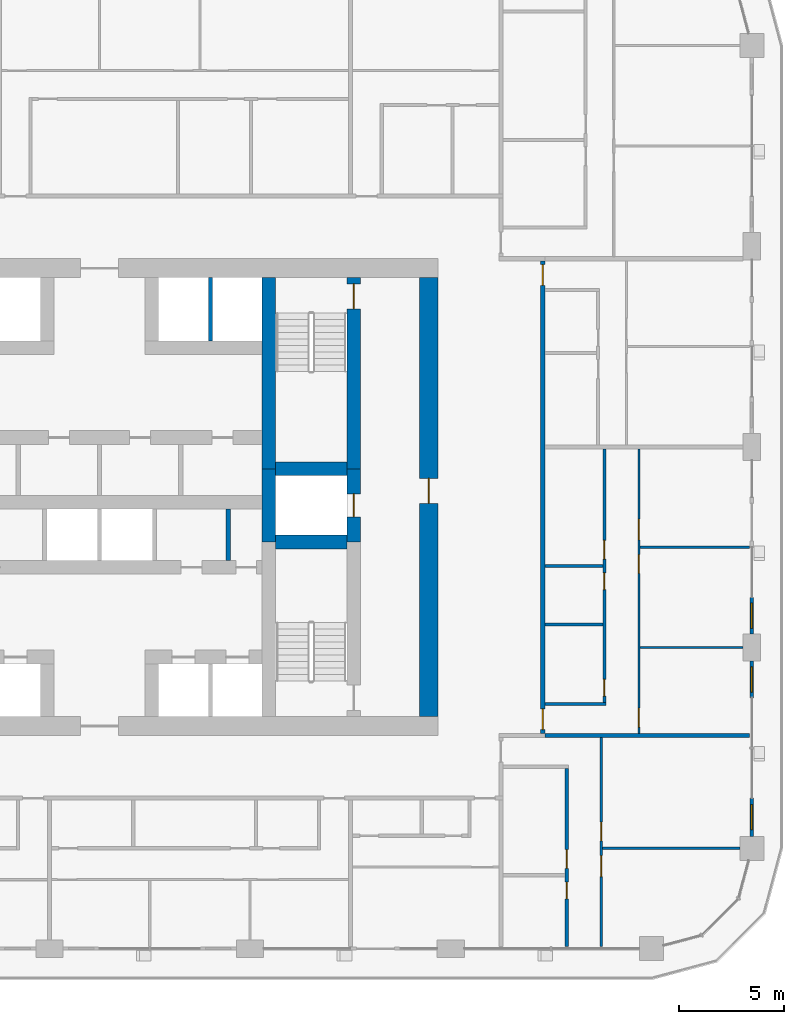
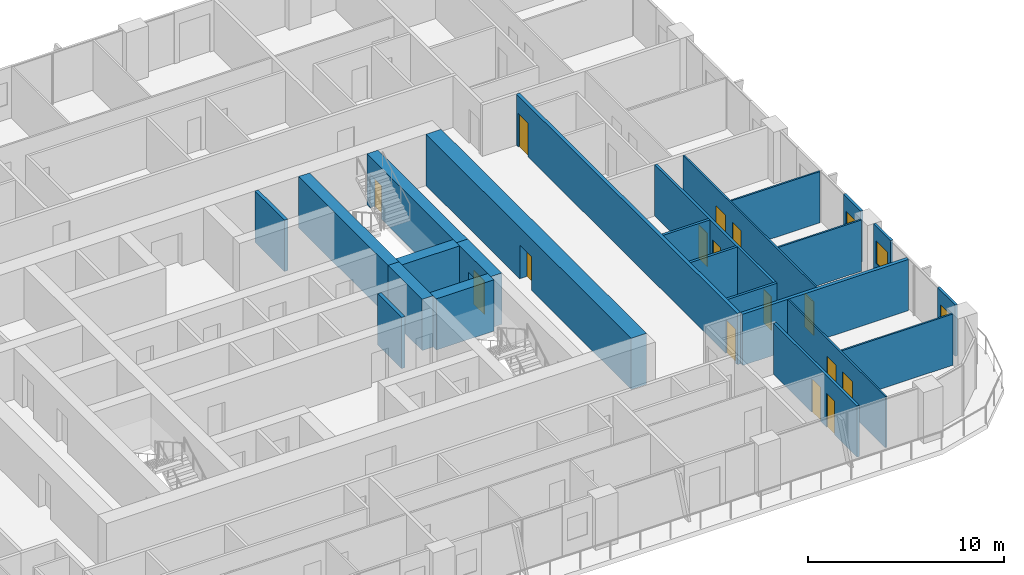
# One storey, part 12 of 21: 24 walls, 15 doors, 3 windows, 18 openings.
"""IFC4 building model written with IfcOpenShell, lengths in metres."""

from ifc_helpers import new_model, si_unit, direction, frame, frame_2d, origin, place, context, subcontext, project, spatial, rectangle, extrude, material, layer, layer_set, type_object, element, fill, save


model = new_model("IFC4")

# Units and contexts
model_context = context("Model", 3, precision=1e-05, world=origin(), true_north=direction((0.0, 1.0)))
body_context = subcontext(model_context, "Body", "Model", "MODEL_VIEW")
ifc_project = project(units=[si_unit("LENGTHUNIT", "METRE"), si_unit("AREAUNIT", "SQUARE_METRE"), si_unit("VOLUMEUNIT", "CUBIC_METRE"), si_unit("PLANEANGLEUNIT", "RADIAN"), si_unit("MASSUNIT", "GRAM", prefix="KILO")], contexts=[model_context])

# Site, building, storey
site_placement = place(None, origin())
site = spatial("IfcSite", under=ifc_project, at=site_placement, CompositionType="ELEMENT")
building_placement = place(site_placement, origin())
building = spatial("IfcBuilding", under=site, at=building_placement, Name="Madar Terraces", CompositionType="ELEMENT")
storey_placement = place(building_placement, frame((0.0, 0.0, 92.699951171875)))
storey = spatial("IfcBuildingStorey", under=building, at=storey_placement, Name="L23", CompositionType="ELEMENT", Elevation=92.699951171875)

# Walls
ifc_material_1 = material(Name="Concrete C80/95", Category="concrete")
ifc_layer_1 = layer(ifc_material_1, 0.64990234375)
ifc_layer_set_1 = layer_set([ifc_layer_1], Name="Concrete C80/95 (CIW2 RC wall 650)")
wall_type_1 = type_object("IfcWallType", Name="CIW2 RC wall 650", PredefinedType="SHEAR", material=ifc_layer_set_1)
wall_1_placement = place(storey_placement, frame((39.300048828125, 24.25, 0.0), z_axis=(0.0, 0.0, 1.0), x_axis=(0.0, 1.0, 0.0)))
element("IfcWall", 1, at=wall_1_placement, inside=storey, type_object=wall_type_1, Name="CORE SHAFT WALL", PredefinedType="SHEAR", context=body_context, shape_type="SweptSolid", body=[
    extrude(rectangle(XDim=3.5, YDim=0.64990234375, at=frame_2d((1.75, 0.0))), origin(), (0.0, 0.0, 1.0), 3.199951171875),
])
wall_2_placement = place(storey_placement, frame((39.300048828125, 27.75, 0.0), z_axis=(0.0, 0.0, 1.0), x_axis=(0.0, 1.0, 0.0)))
element("IfcWall", 2, at=wall_2_placement, inside=storey, type_object=wall_type_1, Name="CORE SHAFT WALL", PredefinedType="SHEAR", context=body_context, shape_type="SweptSolid", body=[
    extrude(rectangle(XDim=9.14990234375, YDim=0.64990234375, at=frame_2d((4.574951171875, 0.0))), origin(), (0.0, 0.0, 1.0), 3.199951171875),
])

# Wall, opening, door
wall_3_placement = place(storey_placement, frame((43.35009765625, 24.25, 0.0), z_axis=(0.0, 0.0, 1.0), x_axis=(0.0, 1.0, 0.0)))
wall_3 = element("IfcWall", 3, at=wall_3_placement, inside=storey, type_object=wall_type_1, Name="CORE SHAFT WALL", PredefinedType="SHEAR", context=body_context, shape_type="SweptSolid", body=[
    extrude(rectangle(XDim=3.5, YDim=0.64990234375, at=frame_2d((1.75, 0.0))), origin(), (0.0, 0.0, 1.0), 3.199951171875),
])
opening_1_placement = place(wall_3_placement, frame((1.199951171875, 0.0, 0.0)))
opening_1 = element("IfcOpeningElement", 4, at=opening_1_placement, cuts=wall_3, Name="Opening LD", PredefinedType="OPENING", context=body_context, shape_type="SweptSolid", body=[
    extrude(rectangle(XDim=1.10009765625, YDim=2.10009765625, at=frame_2d((0.550048828125, 1.050048828125))), frame((0.0, 0.3349609375, 0.0), z_axis=(0.0, -1.0, 0.0), x_axis=(1.0, 0.0, 0.0)), (0.0, 0.0, 1.0), 0.669921875),
])
ifc_material_2 = material(Name="Stainless steel panel", Category="steel")
door_type_1 = type_object("IfcDoorType", Name="Lift landing door 1100 x 2100", OperationType="DOUBLE_DOOR_SLIDING", PredefinedType="DOOR", material=ifc_material_2)
door_1_placement = place(opening_1_placement, origin())
door_1 = element("IfcDoor", 5, at=door_1_placement, inside=storey, type_object=door_type_1, Name="LIFT LANDING DOOR", OperationType="DOUBLE_DOOR_SLIDING", OverallHeight=2.10009765625, OverallWidth=1.10009765625, PredefinedType="DOOR", context=body_context, shape_type="SweptSolid", body=[
    extrude(rectangle(XDim=1.10009765625, YDim=2.10009765625, at=frame_2d((0.550048828125, 1.050048828125))), frame((0.0, 0.02490234375, 0.0), z_axis=(0.0, -1.0, 0.0), x_axis=(1.0, 0.0, 0.0)), (0.0, 0.0, 1.0), 0.050048828125),
])
fill(opening_1, door_1)

wall_4_placement = place(storey_placement, frame((43.35009765625, 27.75, 0.0), z_axis=(0.0, 0.0, 1.0), x_axis=(0.0, 1.0, 0.0)))
wall_4 = element("IfcWall", 6, at=wall_4_placement, inside=storey, type_object=wall_type_1, Name="CORE SHAFT WALL", PredefinedType="SHEAR", context=body_context, shape_type="SweptSolid", body=[
    extrude(rectangle(XDim=9.14990234375, YDim=0.64990234375, at=frame_2d((4.574951171875, 0.0))), origin(), (0.0, 0.0, 1.0), 3.199951171875),
])
opening_2_placement = place(wall_4_placement, frame((7.64990234375, 0.0, 0.0)))
opening_2 = element("IfcOpeningElement", 7, at=opening_2_placement, cuts=wall_4, Name="Opening SD1", PredefinedType="OPENING", context=body_context, shape_type="SweptSolid", body=[
    extrude(rectangle(XDim=1.199951171875, YDim=2.10009765625, at=frame_2d((0.60009765625, 1.050048828125))), frame((0.0, 0.3349609375, 0.0), z_axis=(0.0, -1.0, 0.0), x_axis=(1.0, 0.0, 0.0)), (0.0, 0.0, 1.0), 0.669921875),
])
ifc_material_3 = material(Name="Steel door leaf", Category="steel")
door_type_2 = type_object("IfcDoorType", Name="Stair door 1200 x 2100", OperationType="NOTDEFINED", PredefinedType="DOOR", material=ifc_material_3)
door_2_placement = place(opening_2_placement, origin())
door_2 = element("IfcDoor", 8, at=door_2_placement, inside=storey, type_object=door_type_2, Name="STAIR DOOR", OperationType="SINGLE_SWING_LEFT", OverallHeight=2.10009765625, OverallWidth=1.199951171875, PredefinedType="DOOR", context=body_context, shape_type="SweptSolid", body=[
    extrude(rectangle(XDim=1.199951171875, YDim=2.10009765625, at=frame_2d((0.60009765625, 1.050048828125))), frame((0.0, 0.02490234375, 0.0), z_axis=(0.0, -1.0, 0.0), x_axis=(1.0, 0.0, 0.0)), (0.0, 0.0, 1.0), 0.050048828125),
])
fill(opening_2, door_2)

# Walls
for number, where, z_axis, x_axis, name in (
    (9, (39.625, 24.25, 0.0), (0.0, 0.0, 1.0), (1.0, 0.0, 0.0), "CORE SHAFT WALL"),
    (10, (39.625, 27.75, 0.0), (0.0, 0.0, 1.0), (1.0, 0.0, 0.0), "CORE SHAFT WALL"),
):
    element("IfcWall", number, at=place(storey_placement, frame(where, z_axis=z_axis, x_axis=x_axis)), inside=storey, type_object=wall_type_1, Name=name, PredefinedType="SHEAR", context=body_context, shape_type="SweptSolid", body=[
        extrude(rectangle(XDim=3.39990234375, YDim=0.64990234375, at=frame_2d((1.699951171875, 0.0))), origin(), (0.0, 0.0, 1.0), 3.199951171875),
    ])

# Wall, opening, door
ifc_material_4 = material(Name="Concrete C80/95", Category="concrete")
ifc_layer_2 = layer(ifc_material_4, 0.89990234375)
ifc_layer_set_2 = layer_set([ifc_layer_2], Name="Concrete C80/95 (CRW2 RC wall 900)")
wall_type_2 = type_object("IfcWallType", Name="CRW2 RC wall 900", PredefinedType="SHEAR", material=ifc_layer_set_2)
wall_5_placement = place(storey_placement, frame((46.949951171875, 15.89990234375, 0.0), z_axis=(0.0, 0.0, 1.0), x_axis=(0.0, 1.0, 0.0)))
wall_5 = element("IfcWall", 11, at=wall_5_placement, inside=storey, type_object=wall_type_2, Name="CORE OUTER WALL", PredefinedType="SHEAR", context=body_context, shape_type="SweptSolid", body=[
    extrude(rectangle(XDim=21.0, YDim=0.89990234375, at=frame_2d((10.5, 0.0))), origin(), (0.0, 0.0, 1.0), 3.199951171875),
])
opening_3_placement = place(wall_5_placement, frame((10.199951171875, 0.0, 0.0)))
opening_3 = element("IfcOpeningElement", 12, at=opening_3_placement, cuts=wall_5, Name="Opening SD1", PredefinedType="OPENING", context=body_context, shape_type="SweptSolid", body=[
    extrude(rectangle(XDim=1.199951171875, YDim=2.10009765625, at=frame_2d((0.60009765625, 1.050048828125))), frame((0.0, 0.4599609375, 0.0), z_axis=(0.0, -1.0, 0.0), x_axis=(1.0, 0.0, 0.0)), (0.0, 0.0, 1.0), 0.919921875),
])
door_3_placement = place(opening_3_placement, origin())
door_3 = element("IfcDoor", 13, at=door_3_placement, inside=storey, type_object=door_type_2, Name="STAIR DOOR", OperationType="SINGLE_SWING_LEFT", OverallHeight=2.10009765625, OverallWidth=1.199951171875, PredefinedType="DOOR", context=body_context, shape_type="SweptSolid", body=[
    extrude(rectangle(XDim=1.199951171875, YDim=2.10009765625, at=frame_2d((0.60009765625, 1.050048828125))), frame((0.0, 0.02490234375, 0.0), z_axis=(0.0, -1.0, 0.0), x_axis=(1.0, 0.0, 0.0)), (0.0, 0.0, 1.0), 0.050048828125),
])
fill(opening_3, door_3)

# Walls
ifc_material_5 = material(Name="Masonry blockwork", Category="masonry")
ifc_layer_3 = layer(ifc_material_5, 0.199951171875)
ifc_layer_set_3 = layer_set([ifc_layer_3], Name="Core partition 200 blockwork")
wall_type_3 = type_object("IfcWallType", Name="Core partition 200 blockwork", PredefinedType="PARTITIONING", material=ifc_layer_set_3)
wall_6_placement = place(storey_placement, frame((37.35888671875, 23.375, 0.0), z_axis=(0.0, 0.0, 1.0), x_axis=(0.0, 1.0, 0.0)))
element("IfcWall", 14, at=wall_6_placement, inside=storey, type_object=wall_type_3, Name="SERVICE ROOM PARTITION", PredefinedType="PARTITIONING", context=body_context, shape_type="SweptSolid", body=[
    extrude(rectangle(XDim=2.449951171875, YDim=0.199951171875, at=frame_2d((1.22509765625, 0.0))), origin(), (0.0, 0.0, 1.0), 3.199951171875),
])
ifc_material_6 = material(Name="Concrete C40/50", Category="concrete")
ifc_layer_4 = layer(ifc_material_6, 0.199951171875)
ifc_layer_set_4 = layer_set([ifc_layer_4], Name="Core shaft dividing wall 200 C40/50")
wall_type_4 = type_object("IfcWallType", Name="Core shaft dividing wall 200 C40/50", PredefinedType="SOLIDWALL", material=ifc_layer_set_4)
wall_7_placement = place(storey_placement, frame((36.5, 33.875, 0.0), z_axis=(0.0, 0.0, 1.0), x_axis=(0.0, 1.0, 0.0)))
element("IfcWall", 15, at=wall_7_placement, inside=storey, type_object=wall_type_4, Name="SHAFT DIVIDING WALL", PredefinedType="SOLIDWALL", context=body_context, shape_type="SweptSolid", body=[
    extrude(rectangle(XDim=3.02490234375, YDim=0.199951171875, at=frame_2d((1.512451171875, 0.0))), origin(), (0.0, 0.0, 1.0), 3.199951171875),
])

# Wall, opening, window
ifc_material_7 = material(Name="Aluminium composite panel, black, over insulated backing", Category="aluminium")
ifc_layer_5 = layer(ifc_material_7, 0.14990234375)
ifc_layer_set_5 = layer_set([ifc_layer_5], Name="Facade bay panel 150")
wall_type_5 = type_object("IfcWallType", Name="Facade bay panel 150", PredefinedType="SOLIDWALL", material=ifc_layer_set_5)
wall_8_placement = place(storey_placement, frame((62.39990234375, 10.175048828125, 0.0), z_axis=(0.0, 0.0, 1.0), x_axis=(0.0, 1.0, 0.0)))
wall_8 = element("IfcWall", 16, at=wall_8_placement, inside=storey, type_object=wall_type_5, Name="Facade bay panel", PredefinedType="SOLIDWALL", context=body_context, shape_type="SweptSolid", body=[
    extrude(rectangle(XDim=1.824951171875, YDim=0.14990234375, at=frame_2d((0.91259765625, 0.0))), origin(), (0.0, 0.0, 1.0), 3.199951171875),
])
opening_4_placement = place(wall_8_placement, frame((0.3125, 0.0, 0.89990234375)))
opening_4 = element("IfcOpeningElement", 17, at=opening_4_placement, cuts=wall_8, Name="Opening W1", PredefinedType="OPENING", context=body_context, shape_type="SweptSolid", body=[
    extrude(rectangle(XDim=1.199951171875, YDim=1.39990234375, at=frame_2d((0.60009765625, 0.699951171875))), frame((0.0, 0.0849609375, 0.0), z_axis=(0.0, -1.0, 0.0), x_axis=(1.0, 0.0, 0.0)), (0.0, 0.0, 1.0), 0.169921875),
])
ifc_material_8 = material(Name="Glass, clear, with black aluminium frame", Category="aluminium")
window_type = type_object("IfcWindowType", Name="Vent window 1200 x 1400", PartitioningType="SINGLE_PANEL", PredefinedType="WINDOW", material=ifc_material_8)
window_1_placement = place(opening_4_placement, origin())
window_1 = element("IfcWindow", 18, at=window_1_placement, inside=storey, type_object=window_type, Name="Operable vent window", OverallHeight=1.39990234375, OverallWidth=1.199951171875, PartitioningType="SINGLE_PANEL", PredefinedType="WINDOW", context=body_context, shape_type="SweptSolid", body=[
    extrude(rectangle(XDim=1.199951171875, YDim=1.39990234375, at=frame_2d((0.60009765625, 0.699951171875))), frame((0.0, 0.030029296875, 0.0), z_axis=(0.0, -1.0, 0.0), x_axis=(1.0, 0.0, 0.0)), (0.0, 0.0, 1.0), 0.06005859375),
])
fill(opening_4, window_1)

wall_9_placement = place(storey_placement, frame((62.39990234375, 16.800048828125, 0.0), z_axis=(0.0, 0.0, 1.0), x_axis=(0.0, 1.0, 0.0)))
wall_9 = element("IfcWall", 19, at=wall_9_placement, inside=storey, type_object=wall_type_5, Name="Facade bay panel", PredefinedType="SOLIDWALL", context=body_context, shape_type="SweptSolid", body=[
    extrude(rectangle(XDim=1.75, YDim=0.14990234375, at=frame_2d((0.875, 0.0))), origin(), (0.0, 0.0, 1.0), 3.199951171875),
])
opening_5_placement = place(wall_9_placement, frame((0.27490234375, 0.0, 0.89990234375)))
opening_5 = element("IfcOpeningElement", 20, at=opening_5_placement, cuts=wall_9, Name="Opening W1", PredefinedType="OPENING", context=body_context, shape_type="SweptSolid", body=[
    extrude(rectangle(XDim=1.199951171875, YDim=1.39990234375, at=frame_2d((0.60009765625, 0.699951171875))), frame((0.0, 0.0849609375, 0.0), z_axis=(0.0, -1.0, 0.0), x_axis=(1.0, 0.0, 0.0)), (0.0, 0.0, 1.0), 0.169921875),
])
window_2_placement = place(opening_5_placement, origin())
window_2 = element("IfcWindow", 21, at=window_2_placement, inside=storey, type_object=window_type, Name="Operable vent window", OverallHeight=1.39990234375, OverallWidth=1.199951171875, PartitioningType="SINGLE_PANEL", PredefinedType="WINDOW", context=body_context, shape_type="SweptSolid", body=[
    extrude(rectangle(XDim=1.199951171875, YDim=1.39990234375, at=frame_2d((0.60009765625, 0.699951171875))), frame((0.0, 0.030029296875, 0.0), z_axis=(0.0, -1.0, 0.0), x_axis=(1.0, 0.0, 0.0)), (0.0, 0.0, 1.0), 0.06005859375),
])
fill(opening_5, window_2)

wall_10_placement = place(storey_placement, frame((62.39990234375, 19.85009765625, 0.0), z_axis=(0.0, 0.0, 1.0), x_axis=(0.0, 1.0, 0.0)))
wall_10 = element("IfcWall", 22, at=wall_10_placement, inside=storey, type_object=wall_type_5, Name="Facade bay panel", PredefinedType="SOLIDWALL", context=body_context, shape_type="SweptSolid", body=[
    extrude(rectangle(XDim=1.75, YDim=0.14990234375, at=frame_2d((0.875, 0.0))), origin(), (0.0, 0.0, 1.0), 3.199951171875),
])
opening_6_placement = place(wall_10_placement, frame((0.27490234375, 0.0, 0.89990234375)))
opening_6 = element("IfcOpeningElement", 23, at=opening_6_placement, cuts=wall_10, Name="Opening W1", PredefinedType="OPENING", context=body_context, shape_type="SweptSolid", body=[
    extrude(rectangle(XDim=1.199951171875, YDim=1.39990234375, at=frame_2d((0.60009765625, 0.699951171875))), frame((0.0, 0.0849609375, 0.0), z_axis=(0.0, -1.0, 0.0), x_axis=(1.0, 0.0, 0.0)), (0.0, 0.0, 1.0), 0.169921875),
])
window_3_placement = place(opening_6_placement, origin())
window_3 = element("IfcWindow", 24, at=window_3_placement, inside=storey, type_object=window_type, Name="Operable vent window", OverallHeight=1.39990234375, OverallWidth=1.199951171875, PartitioningType="SINGLE_PANEL", PredefinedType="WINDOW", context=body_context, shape_type="SweptSolid", body=[
    extrude(rectangle(XDim=1.199951171875, YDim=1.39990234375, at=frame_2d((0.60009765625, 0.699951171875))), frame((0.0, 0.030029296875, 0.0), z_axis=(0.0, -1.0, 0.0), x_axis=(1.0, 0.0, 0.0)), (0.0, 0.0, 1.0), 0.06005859375),
])
fill(opening_6, window_3)

# Wall
ifc_material_9 = material(Name="Gypsum board on steel studs", Category="steel")
ifc_layer_6 = layer(ifc_material_9, 0.10009765625)
ifc_layer_set_6 = layer_set([ifc_layer_6], Name="Flat partition 100")
wall_type_6 = type_object("IfcWallType", Name="Flat partition 100", PredefinedType="PARTITIONING", material=ifc_layer_set_6)
wall_11_placement = place(storey_placement, frame((55.25, 9.60009765625, 0.0), z_axis=(0.0, 0.0, 1.0), x_axis=(1.0, 0.0, 0.0)))
element("IfcWall", 25, at=wall_11_placement, inside=storey, type_object=wall_type_6, Name="Flat partition 100", PredefinedType="PARTITIONING", context=body_context, shape_type="SweptSolid", body=[
    extrude(rectangle(XDim=6.574951171875, YDim=0.10009765625, at=frame_2d((3.28759765625, 0.0))), origin(), (0.0, 0.0, 1.0), 3.199951171875),
])

# Wall, openings, doors
wall_12_placement = place(storey_placement, frame((55.199951171875, 14.89990234375, 0.0), z_axis=(0.0, 0.0, 1.0), x_axis=(0.0, -1.0, 0.0)))
wall_12 = element("IfcWall", 26, at=wall_12_placement, inside=storey, type_object=wall_type_6, Name="Flat partition 100", PredefinedType="PARTITIONING", context=body_context, shape_type="SweptSolid", body=[
    extrude(rectangle(XDim=10.0, YDim=0.10009765625, at=frame_2d((5.0, 0.0))), origin(), (0.0, 0.0, 1.0), 3.199951171875),
])
opening_7_placement = place(wall_12_placement, frame((4.050048828125, 0.0, 0.0)))
opening_7 = element("IfcOpeningElement", 27, at=opening_7_placement, cuts=wall_12, Name="Opening D2", PredefinedType="OPENING", context=body_context, shape_type="SweptSolid", body=[
    extrude(rectangle(XDim=0.89990234375, YDim=2.10009765625, at=frame_2d((0.449951171875, 1.050048828125))), frame((0.0, 0.06005859375, 0.0), z_axis=(0.0, -1.0, 0.0), x_axis=(1.0, 0.0, 0.0)), (0.0, 0.0, 1.0), 0.1201171875),
])
opening_8_placement = place(wall_12_placement, frame((5.64990234375, 0.0, 0.0)))
opening_8 = element("IfcOpeningElement", 28, at=opening_8_placement, cuts=wall_12, Name="Opening D3", PredefinedType="OPENING", context=body_context, shape_type="SweptSolid", body=[
    extrude(rectangle(XDim=1.0, YDim=2.10009765625, at=frame_2d((0.5, 1.050048828125))), frame((0.0, 0.06005859375, 0.0), z_axis=(0.0, -1.0, 0.0), x_axis=(1.0, 0.0, 0.0)), (0.0, 0.0, 1.0), 0.1201171875),
])
ifc_material_10 = material(Name="Timber door leaf", Category="wood")
door_type_3 = type_object("IfcDoorType", Name="Flat living room door 1000", OperationType="NOTDEFINED", PredefinedType="DOOR", material=ifc_material_10)
door_4_placement = place(opening_8_placement, origin())
door_4 = element("IfcDoor", 29, at=door_4_placement, inside=storey, type_object=door_type_3, Name="Flat living room door 1000", OperationType="SINGLE_SWING_LEFT", OverallHeight=2.10009765625, OverallWidth=1.0, PredefinedType="DOOR", context=body_context, shape_type="SweptSolid", body=[
    extrude(rectangle(XDim=1.0, YDim=2.10009765625, at=frame_2d((0.5, 1.050048828125))), frame((0.0, 0.02490234375, 0.0), z_axis=(0.0, -1.0, 0.0), x_axis=(1.0, 0.0, 0.0)), (0.0, 0.0, 1.0), 0.050048828125),
])
fill(opening_8, door_4)
ifc_material_11 = material(Name="Timber door leaf", Category="wood")
door_type_4 = type_object("IfcDoorType", Name="Flat room door 900", OperationType="NOTDEFINED", PredefinedType="DOOR", material=ifc_material_11)
door_5_placement = place(opening_7_placement, origin())
door_5 = element("IfcDoor", 30, at=door_5_placement, inside=storey, type_object=door_type_4, Name="Flat room door 900", OperationType="SINGLE_SWING_RIGHT", OverallHeight=2.10009765625, OverallWidth=0.89990234375, PredefinedType="DOOR", context=body_context, shape_type="SweptSolid", body=[
    extrude(rectangle(XDim=0.89990234375, YDim=2.10009765625, at=frame_2d((0.449951171875, 1.050048828125))), frame((0.0, 0.02490234375, 0.0), z_axis=(0.0, -1.0, 0.0), x_axis=(1.0, 0.0, 0.0)), (0.0, 0.0, 1.0), 0.050048828125),
])
fill(opening_7, door_5)

# Walls
wall_13_placement = place(storey_placement, frame((57.050048828125, 19.199951171875, 0.0), z_axis=(0.0, 0.0, 1.0), x_axis=(1.0, 0.0, 0.0)))
element("IfcWall", 31, at=wall_13_placement, inside=storey, type_object=wall_type_6, Name="Flat partition 100", PredefinedType="PARTITIONING", context=body_context, shape_type="SweptSolid", body=[
    extrude(rectangle(XDim=4.925048828125, YDim=0.10009765625, at=frame_2d((2.46240234375, 0.0))), origin(), (0.0, 0.0, 1.0), 3.199951171875),
])
wall_14_placement = place(storey_placement, frame((57.050048828125, 24.0, 0.0), z_axis=(0.0, 0.0, 1.0), x_axis=(1.0, 0.0, 0.0)))
element("IfcWall", 32, at=wall_14_placement, inside=storey, type_object=wall_type_6, Name="Flat partition 100", PredefinedType="PARTITIONING", context=body_context, shape_type="SweptSolid", body=[
    extrude(rectangle(XDim=5.25, YDim=0.10009765625, at=frame_2d((2.625, 0.0))), origin(), (0.0, 0.0, 1.0), 3.199951171875),
])

# Wall, openings, doors
wall_15_placement = place(storey_placement, frame((57.0, 28.699951171875, 0.0), z_axis=(0.0, 0.0, 1.0), x_axis=(0.0, -1.0, 0.0)))
wall_15 = element("IfcWall", 33, at=wall_15_placement, inside=storey, type_object=wall_type_6, Name="Flat partition 100", PredefinedType="PARTITIONING", context=body_context, shape_type="SweptSolid", body=[
    extrude(rectangle(XDim=13.599853515625, YDim=0.10009765625, at=frame_2d((6.7998046875, 0.0))), origin(), (0.0, 0.0, 1.0), 3.199951171875),
])
opening_9_placement = place(wall_15_placement, frame((12.39990234375, 0.0, 0.0)))
opening_9 = element("IfcOpeningElement", 34, at=opening_9_placement, cuts=wall_15, Name="Opening D2", PredefinedType="OPENING", context=body_context, shape_type="SweptSolid", body=[
    extrude(rectangle(XDim=0.89990234375, YDim=2.10009765625, at=frame_2d((0.449951171875, 1.050048828125))), frame((0.0, 0.06005859375, 0.0), z_axis=(0.0, -1.0, 0.0), x_axis=(1.0, 0.0, 0.0)), (0.0, 0.0, 1.0), 0.1201171875),
])
opening_10_placement = place(wall_15_placement, frame((5.050048828125, 0.0, 0.0)))
opening_10 = element("IfcOpeningElement", 35, at=opening_10_placement, cuts=wall_15, Name="Opening D2", PredefinedType="OPENING", context=body_context, shape_type="SweptSolid", body=[
    extrude(rectangle(XDim=0.89990234375, YDim=2.10009765625, at=frame_2d((0.449951171875, 1.050048828125))), frame((0.0, 0.06005859375, 0.0), z_axis=(0.0, -1.0, 0.0), x_axis=(1.0, 0.0, 0.0)), (0.0, 0.0, 1.0), 0.1201171875),
])
opening_11_placement = place(wall_15_placement, frame((3.35009765625, 0.0, 0.0)))
opening_11 = element("IfcOpeningElement", 36, at=opening_11_placement, cuts=wall_15, Name="Opening D3", PredefinedType="OPENING", context=body_context, shape_type="SweptSolid", body=[
    extrude(rectangle(XDim=1.0, YDim=2.10009765625, at=frame_2d((0.5, 1.050048828125))), frame((0.0, 0.06005859375, 0.0), z_axis=(0.0, -1.0, 0.0), x_axis=(1.0, 0.0, 0.0)), (0.0, 0.0, 1.0), 0.1201171875),
])
door_6_placement = place(opening_11_placement, origin())
door_6 = element("IfcDoor", 37, at=door_6_placement, inside=storey, type_object=door_type_3, Name="Flat living room door 1000", OperationType="SINGLE_SWING_RIGHT", OverallHeight=2.10009765625, OverallWidth=1.0, PredefinedType="DOOR", context=body_context, shape_type="SweptSolid", body=[
    extrude(rectangle(XDim=1.0, YDim=2.10009765625, at=frame_2d((0.5, 1.050048828125))), frame((0.0, 0.02490234375, 0.0), z_axis=(0.0, -1.0, 0.0), x_axis=(1.0, 0.0, 0.0)), (0.0, 0.0, 1.0), 0.050048828125),
])
fill(opening_11, door_6)
door_7_placement = place(opening_9_placement, origin())
door_7 = element("IfcDoor", 38, at=door_7_placement, inside=storey, type_object=door_type_4, Name="Flat room door 900", OperationType="SINGLE_SWING_RIGHT", OverallHeight=2.10009765625, OverallWidth=0.89990234375, PredefinedType="DOOR", context=body_context, shape_type="SweptSolid", body=[
    extrude(rectangle(XDim=0.89990234375, YDim=2.10009765625, at=frame_2d((0.449951171875, 1.050048828125))), frame((0.0, 0.02490234375, 0.0), z_axis=(0.0, -1.0, 0.0), x_axis=(1.0, 0.0, 0.0)), (0.0, 0.0, 1.0), 0.050048828125),
])
fill(opening_9, door_7)
door_8_placement = place(opening_10_placement, origin())
door_8 = element("IfcDoor", 39, at=door_8_placement, inside=storey, type_object=door_type_4, Name="Flat room door 900", OperationType="SINGLE_SWING_LEFT", OverallHeight=2.10009765625, OverallWidth=0.89990234375, PredefinedType="DOOR", context=body_context, shape_type="SweptSolid", body=[
    extrude(rectangle(XDim=0.89990234375, YDim=2.10009765625, at=frame_2d((0.449951171875, 1.050048828125))), frame((0.0, 0.02490234375, 0.0), z_axis=(0.0, -1.0, 0.0), x_axis=(1.0, 0.0, 0.0)), (0.0, 0.0, 1.0), 0.050048828125),
])
fill(opening_10, door_8)

ifc_material_12 = material(Name="Lightweight blockwork", Category="masonry")
ifc_layer_7 = layer(ifc_material_12, 0.199951171875)
ifc_layer_set_7 = layer_set([ifc_layer_7], Name="Flat party and entrance wall 200")
wall_type_7 = type_object("IfcWallType", Name="Flat party and entrance wall 200", PredefinedType="PARTITIONING", material=ifc_layer_set_7)
wall_16_placement = place(storey_placement, frame((52.39990234375, 37.699951171875, 0.0), z_axis=(0.0, 0.0, 1.0), x_axis=(0.0, -1.0, 0.0)))
wall_16 = element("IfcWall", 40, at=wall_16_placement, inside=storey, type_object=wall_type_7, Name="Flat party and entrance wall 200", PredefinedType="PARTITIONING", context=body_context, shape_type="SweptSolid", body=[
    extrude(rectangle(XDim=22.599853515625, YDim=0.199951171875, at=frame_2d((11.2998046875, 0.0))), origin(), (0.0, 0.0, 1.0), 3.199951171875),
])
opening_12_placement = place(wall_16_placement, frame((21.425048828125, 0.0, 0.0)))
opening_12 = element("IfcOpeningElement", 41, at=opening_12_placement, cuts=wall_16, Name="Opening D1", PredefinedType="OPENING", context=body_context, shape_type="SweptSolid", body=[
    extrude(rectangle(XDim=1.0, YDim=2.10009765625, at=frame_2d((0.5, 1.050048828125))), frame((0.0, 0.10986328125, 0.0), z_axis=(0.0, -1.0, 0.0), x_axis=(1.0, 0.0, 0.0)), (0.0, 0.0, 1.0), 0.219970703125),
])
opening_13_placement = place(wall_16_placement, frame((0.175048828125, 0.0, 0.0)))
opening_13 = element("IfcOpeningElement", 42, at=opening_13_placement, cuts=wall_16, Name="Opening D1", PredefinedType="OPENING", context=body_context, shape_type="SweptSolid", body=[
    extrude(rectangle(XDim=1.0, YDim=2.10009765625, at=frame_2d((0.5, 1.050048828125))), frame((0.0, 0.10986328125, 0.0), z_axis=(0.0, -1.0, 0.0), x_axis=(1.0, 0.0, 0.0)), (0.0, 0.0, 1.0), 0.219970703125),
])
ifc_material_13 = material(Name="Timber fire door leaf", Category="wood")
door_type_5 = type_object("IfcDoorType", Name="Flat entrance door 1000 FD30S", OperationType="NOTDEFINED", PredefinedType="DOOR", material=ifc_material_13)
door_9_placement = place(opening_12_placement, origin())
door_9 = element("IfcDoor", 43, at=door_9_placement, inside=storey, type_object=door_type_5, Name="Flat entrance door 1000 FD30S", OperationType="SINGLE_SWING_RIGHT", OverallHeight=2.10009765625, OverallWidth=1.0, PredefinedType="DOOR", context=body_context, shape_type="SweptSolid", body=[
    extrude(rectangle(XDim=1.0, YDim=2.10009765625, at=frame_2d((0.5, 1.050048828125))), frame((0.0, 0.02490234375, 0.0), z_axis=(0.0, -1.0, 0.0), x_axis=(1.0, 0.0, 0.0)), (0.0, 0.0, 1.0), 0.050048828125),
])
fill(opening_12, door_9)
door_10_placement = place(opening_13_placement, origin())
door_10 = element("IfcDoor", 44, at=door_10_placement, inside=storey, type_object=door_type_5, Name="Flat entrance door 1000 FD30S", OperationType="SINGLE_SWING_LEFT", OverallHeight=2.10009765625, OverallWidth=1.0, PredefinedType="DOOR", context=body_context, shape_type="SweptSolid", body=[
    extrude(rectangle(XDim=1.0, YDim=2.10009765625, at=frame_2d((0.5, 1.050048828125))), frame((0.0, 0.02490234375, 0.0), z_axis=(0.0, -1.0, 0.0), x_axis=(1.0, 0.0, 0.0)), (0.0, 0.0, 1.0), 0.050048828125),
])
fill(opening_13, door_10)

# Wall
wall_17_placement = place(storey_placement, frame((52.5, 15.0, 0.0), z_axis=(0.0, 0.0, 1.0), x_axis=(1.0, 0.0, 0.0)))
element("IfcWall", 45, at=wall_17_placement, inside=storey, type_object=wall_type_7, Name="Flat party and entrance wall 200", PredefinedType="PARTITIONING", context=body_context, shape_type="SweptSolid", body=[
    extrude(rectangle(XDim=9.800048828125, YDim=0.199951171875, at=frame_2d((4.89990234375, 0.0))), origin(), (0.0, 0.0, 1.0), 3.199951171875),
])

# Wall, openings, doors
ifc_material_14 = material(Name="Lightweight blockwork", Category="masonry")
ifc_layer_8 = layer(ifc_material_14, 0.14990234375)
ifc_layer_set_8 = layer_set([ifc_layer_8], Name="Flat wet-room partition 150")
wall_type_8 = type_object("IfcWallType", Name="Flat wet-room partition 150", PredefinedType="PARTITIONING", material=ifc_layer_set_8)
wall_18_placement = place(storey_placement, frame((53.550048828125, 4.89990234375, 0.0), z_axis=(0.0, 0.0, 1.0), x_axis=(0.0, 1.0, 0.0)))
wall_18 = element("IfcWall", 46, at=wall_18_placement, inside=storey, type_object=wall_type_8, Name="Flat wet-room partition 150", PredefinedType="PARTITIONING", context=body_context, shape_type="SweptSolid", body=[
    extrude(rectangle(XDim=8.525146484375, YDim=0.14990234375, at=frame_2d((4.2626953125, 0.0))), origin(), (0.0, 0.0, 1.0), 3.199951171875),
])
opening_14_placement = place(wall_18_placement, frame((3.735107421875, 0.0, 0.0)))
opening_14 = element("IfcOpeningElement", 47, at=opening_14_placement, cuts=wall_18, Name="Opening D2", PredefinedType="OPENING", context=body_context, shape_type="SweptSolid", body=[
    extrude(rectangle(XDim=0.89990234375, YDim=2.10009765625, at=frame_2d((0.449951171875, 1.050048828125))), frame((0.0, 0.0849609375, 0.0), z_axis=(0.0, -1.0, 0.0), x_axis=(1.0, 0.0, 0.0)), (0.0, 0.0, 1.0), 0.169921875),
])
opening_15_placement = place(wall_18_placement, frame((2.284912109375, 0.0, 0.0)))
opening_15 = element("IfcOpeningElement", 48, at=opening_15_placement, cuts=wall_18, Name="Opening D4", PredefinedType="OPENING", context=body_context, shape_type="SweptSolid", body=[
    extrude(rectangle(XDim=0.800048828125, YDim=2.10009765625, at=frame_2d((0.39990234375, 1.050048828125))), frame((0.0, 0.0849609375, 0.0), z_axis=(0.0, -1.0, 0.0), x_axis=(1.0, 0.0, 0.0)), (0.0, 0.0, 1.0), 0.169921875),
])
ifc_material_15 = material(Name="Timber door leaf", Category="wood")
door_type_6 = type_object("IfcDoorType", Name="Flat bathroom door 800", OperationType="NOTDEFINED", PredefinedType="DOOR", material=ifc_material_15)
door_11_placement = place(opening_15_placement, origin())
door_11 = element("IfcDoor", 49, at=door_11_placement, inside=storey, type_object=door_type_6, Name="Flat bathroom door 800", OperationType="SINGLE_SWING_RIGHT", OverallHeight=2.10009765625, OverallWidth=0.800048828125, PredefinedType="DOOR", context=body_context, shape_type="SweptSolid", body=[
    extrude(rectangle(XDim=0.800048828125, YDim=2.10009765625, at=frame_2d((0.39990234375, 1.050048828125))), frame((0.0, 0.02490234375, 0.0), z_axis=(0.0, -1.0, 0.0), x_axis=(1.0, 0.0, 0.0)), (0.0, 0.0, 1.0), 0.050048828125),
])
fill(opening_15, door_11)
door_12_placement = place(opening_14_placement, origin())
door_12 = element("IfcDoor", 50, at=door_12_placement, inside=storey, type_object=door_type_4, Name="Flat room door 900", OperationType="SINGLE_SWING_LEFT", OverallHeight=2.10009765625, OverallWidth=0.89990234375, PredefinedType="DOOR", context=body_context, shape_type="SweptSolid", body=[
    extrude(rectangle(XDim=0.89990234375, YDim=2.10009765625, at=frame_2d((0.449951171875, 1.050048828125))), frame((0.0, 0.02490234375, 0.0), z_axis=(0.0, -1.0, 0.0), x_axis=(1.0, 0.0, 0.0)), (0.0, 0.0, 1.0), 0.050048828125),
])
fill(opening_14, door_12)

# Walls
for number, where, z_axis, x_axis, name in (
    (51, (52.5, 20.305908203125, 0.0), (0.0, 0.0, 1.0), (1.0, 0.0, 0.0), "Flat wet-room partition 150"),
    (52, (52.5, 23.10400390625, 0.0), (0.0, 0.0, 1.0), (1.0, 0.0, 0.0), "Flat wet-room partition 150"),
):
    element("IfcWall", number, at=place(storey_placement, frame(where, z_axis=z_axis, x_axis=x_axis)), inside=storey, type_object=wall_type_8, Name=name, PredefinedType="PARTITIONING", context=body_context, shape_type="SweptSolid", body=[
        extrude(rectangle(XDim=2.77490234375, YDim=0.14990234375, at=frame_2d((1.387451171875, 0.0))), origin(), (0.0, 0.0, 1.0), 3.199951171875),
    ])
wall_19_placement = place(storey_placement, frame((52.5, 16.5, 0.0), z_axis=(0.0, 0.0, 1.0), x_axis=(1.0, 0.0, 0.0)))
element("IfcWall", 53, at=wall_19_placement, inside=storey, type_object=wall_type_8, Name="Flat wet-room partition 150", PredefinedType="PARTITIONING", context=body_context, shape_type="SweptSolid", body=[
    extrude(rectangle(XDim=2.925048828125, YDim=0.14990234375, at=frame_2d((1.46240234375, 0.0))), origin(), (0.0, 0.0, 1.0), 3.199951171875),
])

# Wall, openings, doors
wall_20_placement = place(storey_placement, frame((55.35009765625, 16.574951171875, 0.0), z_axis=(0.0, 0.0, 1.0), x_axis=(0.0, 1.0, 0.0)))
wall_20 = element("IfcWall", 54, at=wall_20_placement, inside=storey, type_object=wall_type_8, Name="Flat wet-room partition 150", PredefinedType="PARTITIONING", context=body_context, shape_type="SweptSolid", body=[
    extrude(rectangle(XDim=12.125, YDim=0.14990234375, at=frame_2d((6.0625, 0.0))), origin(), (0.0, 0.0, 1.0), 3.199951171875),
])
opening_16_placement = place(wall_20_placement, frame((0.300048828125, 0.0, 0.0)))
opening_16 = element("IfcOpeningElement", 55, at=opening_16_placement, cuts=wall_20, Name="Opening D4", PredefinedType="OPENING", context=body_context, shape_type="SweptSolid", body=[
    extrude(rectangle(XDim=0.800048828125, YDim=2.10009765625, at=frame_2d((0.39990234375, 1.050048828125))), frame((0.0, 0.0849609375, 0.0), z_axis=(0.0, -1.0, 0.0), x_axis=(1.0, 0.0, 0.0)), (0.0, 0.0, 1.0), 0.169921875),
])
opening_17_placement = place(wall_20_placement, frame((5.40380859375, 0.0, 0.0)))
opening_17 = element("IfcOpeningElement", 56, at=opening_17_placement, cuts=wall_20, Name="Opening D4", PredefinedType="OPENING", context=body_context, shape_type="SweptSolid", body=[
    extrude(rectangle(XDim=0.800048828125, YDim=2.10009765625, at=frame_2d((0.39990234375, 1.050048828125))), frame((0.0, 0.0849609375, 0.0), z_axis=(0.0, -1.0, 0.0), x_axis=(1.0, 0.0, 0.0)), (0.0, 0.0, 1.0), 0.169921875),
])
opening_18_placement = place(wall_20_placement, frame((6.85400390625, 0.0, 0.0)))
opening_18 = element("IfcOpeningElement", 57, at=opening_18_placement, cuts=wall_20, Name="Opening D2", PredefinedType="OPENING", context=body_context, shape_type="SweptSolid", body=[
    extrude(rectangle(XDim=0.89990234375, YDim=2.10009765625, at=frame_2d((0.449951171875, 1.050048828125))), frame((0.0, 0.0849609375, 0.0), z_axis=(0.0, -1.0, 0.0), x_axis=(1.0, 0.0, 0.0)), (0.0, 0.0, 1.0), 0.169921875),
])
door_13_placement = place(opening_16_placement, origin())
door_13 = element("IfcDoor", 58, at=door_13_placement, inside=storey, type_object=door_type_6, Name="Flat bathroom door 800", OperationType="SINGLE_SWING_LEFT", OverallHeight=2.10009765625, OverallWidth=0.800048828125, PredefinedType="DOOR", context=body_context, shape_type="SweptSolid", body=[
    extrude(rectangle(XDim=0.800048828125, YDim=2.10009765625, at=frame_2d((0.39990234375, 1.050048828125))), frame((0.0, 0.02490234375, 0.0), z_axis=(0.0, -1.0, 0.0), x_axis=(1.0, 0.0, 0.0)), (0.0, 0.0, 1.0), 0.050048828125),
])
fill(opening_16, door_13)
door_14_placement = place(opening_17_placement, origin())
door_14 = element("IfcDoor", 59, at=door_14_placement, inside=storey, type_object=door_type_6, Name="Flat bathroom door 800", OperationType="SINGLE_SWING_RIGHT", OverallHeight=2.10009765625, OverallWidth=0.800048828125, PredefinedType="DOOR", context=body_context, shape_type="SweptSolid", body=[
    extrude(rectangle(XDim=0.800048828125, YDim=2.10009765625, at=frame_2d((0.39990234375, 1.050048828125))), frame((0.0, 0.02490234375, 0.0), z_axis=(0.0, -1.0, 0.0), x_axis=(1.0, 0.0, 0.0)), (0.0, 0.0, 1.0), 0.050048828125),
])
fill(opening_17, door_14)
door_15_placement = place(opening_18_placement, origin())
door_15 = element("IfcDoor", 60, at=door_15_placement, inside=storey, type_object=door_type_4, Name="Flat room door 900", OperationType="SINGLE_SWING_LEFT", OverallHeight=2.10009765625, OverallWidth=0.89990234375, PredefinedType="DOOR", context=body_context, shape_type="SweptSolid", body=[
    extrude(rectangle(XDim=0.89990234375, YDim=2.10009765625, at=frame_2d((0.449951171875, 1.050048828125))), frame((0.0, 0.02490234375, 0.0), z_axis=(0.0, -1.0, 0.0), x_axis=(1.0, 0.0, 0.0)), (0.0, 0.0, 1.0), 0.050048828125),
])
fill(opening_18, door_15)

save(model, "model.ifc")
